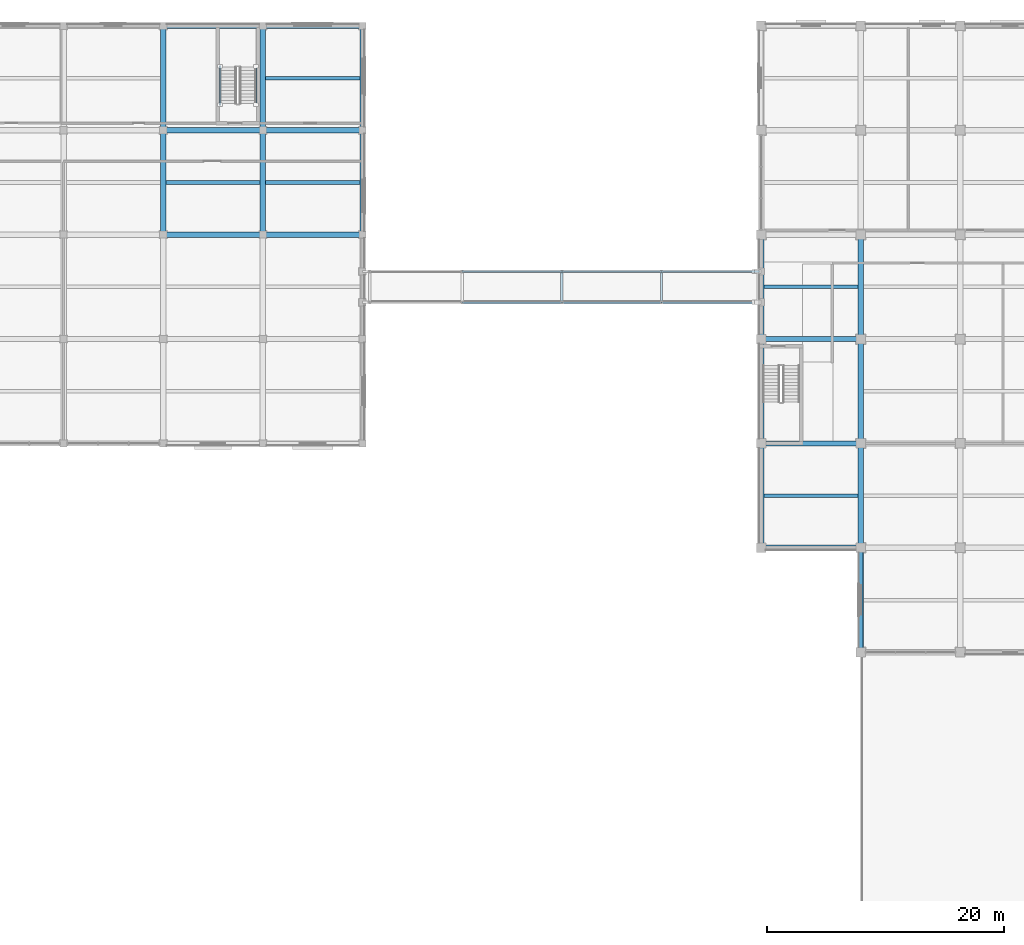
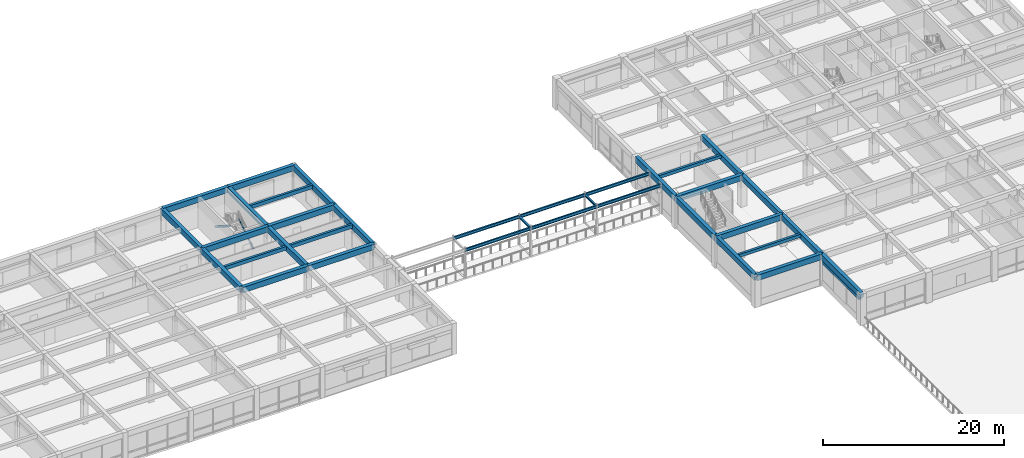
# One storey, part 21 of 57: 36 beams, 2 members.
"""IFC4 building model written with IfcOpenShell, lengths in metres."""

from ifc_helpers import new_model, si_unit, direction, frame, origin, origin_2d, place, context, subcontext, project, spatial, rectangle, hollow_rectangle, i_section, extrude, material, material_profile, profile_set, type_object, element, save


model = new_model("IFC4")

# Units and contexts
model_context = context("Model", 3, precision=1e-05, world=origin(), true_north=direction((0.0, 1.0)))
body_context = subcontext(model_context, "Body", "Model", "MODEL_VIEW")
ifc_project = project(units=[si_unit("LENGTHUNIT", "METRE"), si_unit("AREAUNIT", "SQUARE_METRE"), si_unit("VOLUMEUNIT", "CUBIC_METRE"), si_unit("PLANEANGLEUNIT", "RADIAN"), si_unit("MASSUNIT", "GRAM", prefix="KILO")], contexts=[model_context])

# Site, building, storey
site_placement = place(None, origin())
site = spatial("IfcSite", under=ifc_project, at=site_placement, CompositionType="ELEMENT")
building_placement = place(site_placement, origin())
building = spatial("IfcBuilding", under=site, at=building_placement, Name="Kemercrest Conservatory and Botanical Centre", CompositionType="ELEMENT")
storey_placement = place(building_placement, frame((0.0, 0.0, 4.800048828125)))
storey = spatial("IfcBuildingStorey", under=building, at=storey_placement, Name="L01", CompositionType="ELEMENT", Elevation=4.800048828125)

# Beams
ifc_material_1 = material(Name="Steel CSA G40.21 350W", Category="steel")
ifc_material_profile_1 = material_profile(ifc_material_1, i_section(OverallWidth=0.180908203125, OverallDepth=0.4169921875, WebThickness=0.010986328125, FlangeThickness=0.018310546875, FilletRadius=0.01611328125, at=origin_2d()), Name="W410X85")
ifc_profile_set_1 = profile_set([ifc_material_profile_1], Name="Steel CSA G40.21 350W")
beam_type_1 = type_object("IfcBeamType", Name="BM-LB410", PredefinedType="BEAM", material=ifc_profile_set_1)
for number, where, z_axis, x_axis, name in (
    (1, (100.39990234375, 99.10009765625, 3.761474609375), (1.0, 0.0, 0.0), (0.0, 1.0, 0.0), "Link bridge girder LB-01 SJ-3"),
    (2, (100.39990234375, 101.699951171875, 3.761474609375), (1.0, 0.0, 0.0), (0.0, 1.0, 0.0), "Link bridge girder LB-01 SJ-3"),
):
    element("IfcBeam", number, at=place(storey_placement, frame(where, z_axis=z_axis, x_axis=x_axis)), inside=storey, type_object=beam_type_1, Name=name, PredefinedType="BEAM", context=body_context, shape_type="SweptSolid", body=[
        extrude(i_section(OverallWidth=0.180908203125, OverallDepth=0.4169921875, WebThickness=0.010986328125, FlangeThickness=0.018310546875, FilletRadius=0.01611328125, at=origin_2d()), origin(), (0.0, 0.0, 1.0), 8.400146484375),
    ])
for number, where, z_axis, x_axis, name in (
    (3, (108.800048828125, 99.10009765625, 3.761474609375), (1.0, 0.0, 0.0), (0.0, 1.0, 0.0), "Link bridge girder LB-01 SJ-3"),
    (4, (108.800048828125, 101.699951171875, 3.761474609375), (1.0, 0.0, 0.0), (0.0, 1.0, 0.0), "Link bridge girder LB-01 SJ-3"),
):
    element("IfcBeam", number, at=place(storey_placement, frame(where, z_axis=z_axis, x_axis=x_axis)), inside=storey, type_object=beam_type_1, Name=name, PredefinedType="BEAM", context=body_context, shape_type="SweptSolid", body=[
        extrude(i_section(OverallWidth=0.180908203125, OverallDepth=0.4169921875, WebThickness=0.010986328125, FlangeThickness=0.018310546875, FilletRadius=0.01611328125, at=origin_2d()), origin(), (0.0, 0.0, 1.0), 8.39990234375),
    ])
for number, where, z_axis, x_axis, name in (
    (5, (117.199951171875, 99.10009765625, 3.761474609375), (1.0, 0.0, 0.0), (0.0, 1.0, 0.0), "Link bridge girder LB-01 SJ-3"),
    (6, (117.199951171875, 101.699951171875, 3.761474609375), (1.0, 0.0, 0.0), (0.0, 1.0, 0.0), "Link bridge girder LB-01 SJ-3"),
):
    element("IfcBeam", number, at=place(storey_placement, frame(where, z_axis=z_axis, x_axis=x_axis)), inside=storey, type_object=beam_type_1, Name=name, PredefinedType="BEAM", context=body_context, shape_type="SweptSolid", body=[
        extrude(i_section(OverallWidth=0.180908203125, OverallDepth=0.4169921875, WebThickness=0.010986328125, FlangeThickness=0.018310546875, FilletRadius=0.01611328125, at=origin_2d()), origin(), (0.0, 0.0, 1.0), 8.25),
    ])
ifc_material_2 = material(Name="Concrete C40/50", Category="concrete")
ifc_material_profile_2 = material_profile(ifc_material_2, rectangle(XDim=0.449951171875, YDim=0.75, at=origin_2d()), Name="RC 450x750")
ifc_profile_set_2 = profile_set([ifc_material_profile_2], Name="Concrete C40/50")
beam_type_2 = type_object("IfcBeamType", Name="BM-RC75", PredefinedType="BEAM", material=ifc_profile_set_2)
beam_1_placement = place(storey_placement, frame((75.199951171875, 104.800048828125, 3.824951171875), z_axis=(1.0, 0.0, 0.0), x_axis=(0.0, 1.0, 0.0)))
element("IfcBeam", 7, at=beam_1_placement, inside=storey, type_object=beam_type_2, Name="V3-L02 beam BM-RC75 M/09-10", PredefinedType="BEAM", context=body_context, shape_type="SweptSolid", body=[
    extrude(rectangle(XDim=0.449951171875, YDim=0.75, at=origin_2d()), origin(), (0.0, 0.0, 1.0), 8.400146484375),
])
beam_2_placement = place(storey_placement, frame((83.60009765625, 104.800048828125, 3.824951171875), z_axis=(1.0, 0.0, 0.0), x_axis=(0.0, 1.0, 0.0)))
element("IfcBeam", 8, at=beam_2_placement, inside=storey, type_object=beam_type_2, Name="V3-L02 beam BM-RC75 M/10-11", PredefinedType="BEAM", context=body_context, shape_type="SweptSolid", body=[
    extrude(rectangle(XDim=0.449951171875, YDim=0.75, at=origin_2d()), origin(), (0.0, 0.0, 1.0), 8.39990234375),
])
beam_3_placement = place(storey_placement, frame((75.199951171875, 113.60009765625, 3.824951171875), z_axis=(1.0, 0.0, 0.0), x_axis=(0.0, 1.0, 0.0)))
element("IfcBeam", 9, at=beam_3_placement, inside=storey, type_object=beam_type_2, Name="V3-L02 beam BM-RC75 N/09-10", PredefinedType="BEAM", context=body_context, shape_type="SweptSolid", body=[
    extrude(rectangle(XDim=0.449951171875, YDim=0.75, at=origin_2d()), origin(), (0.0, 0.0, 1.0), 8.400146484375),
])
beam_4_placement = place(storey_placement, frame((83.60009765625, 113.60009765625, 3.824951171875), z_axis=(1.0, 0.0, 0.0), x_axis=(0.0, 1.0, 0.0)))
element("IfcBeam", 10, at=beam_4_placement, inside=storey, type_object=beam_type_2, Name="V3-L02 beam BM-RC75 N/10-11", PredefinedType="BEAM", context=body_context, shape_type="SweptSolid", body=[
    extrude(rectangle(XDim=0.449951171875, YDim=0.75, at=origin_2d()), origin(), (0.0, 0.0, 1.0), 8.39990234375),
])
beam_5_placement = place(storey_placement, frame((75.199951171875, 104.800048828125, 3.824951171875), z_axis=(0.0, 1.0, 0.0), x_axis=(-1.0, 0.0, 0.0)))
element("IfcBeam", 11, at=beam_5_placement, inside=storey, type_object=beam_type_2, Name="V3-L02 beam BM-RC75 09/M-N", PredefinedType="BEAM", context=body_context, shape_type="SweptSolid", body=[
    extrude(rectangle(XDim=0.449951171875, YDim=0.75, at=origin_2d()), origin(), (0.0, 0.0, 1.0), 8.800048828125),
])
beam_6_placement = place(storey_placement, frame((75.199951171875, 113.60009765625, 3.824951171875), z_axis=(0.0, 1.0, 0.0), x_axis=(-1.0, 0.0, 0.0)))
element("IfcBeam", 12, at=beam_6_placement, inside=storey, type_object=beam_type_2, Name="V3-L02 beam BM-RC75 09/N-P", PredefinedType="BEAM", context=body_context, shape_type="SweptSolid", body=[
    extrude(rectangle(XDim=0.449951171875, YDim=0.75, at=origin_2d()), origin(), (0.0, 0.0, 1.0), 8.7998046875),
])
beam_7_placement = place(storey_placement, frame((83.60009765625, 104.800048828125, 3.824951171875), z_axis=(0.0, 1.0, 0.0), x_axis=(-1.0, 0.0, 0.0)))
element("IfcBeam", 13, at=beam_7_placement, inside=storey, type_object=beam_type_2, Name="V3-L02 beam BM-RC75 10/M-N", PredefinedType="BEAM", context=body_context, shape_type="SweptSolid", body=[
    extrude(rectangle(XDim=0.449951171875, YDim=0.75, at=origin_2d()), origin(), (0.0, 0.0, 1.0), 8.800048828125),
])
beam_8_placement = place(storey_placement, frame((83.60009765625, 113.60009765625, 3.824951171875), z_axis=(0.0, 1.0, 0.0), x_axis=(-1.0, 0.0, 0.0)))
element("IfcBeam", 14, at=beam_8_placement, inside=storey, type_object=beam_type_2, Name="V3-L02 beam BM-RC75 10/N-P", PredefinedType="BEAM", context=body_context, shape_type="SweptSolid", body=[
    extrude(rectangle(XDim=0.449951171875, YDim=0.75, at=origin_2d()), origin(), (0.0, 0.0, 1.0), 8.7998046875),
])
for number, where, z_axis, x_axis, name in (
    (15, (125.60009765625, 78.39990234375, 3.824951171875), (1.0, 0.0, 0.0), (0.0, 1.0, 0.0), "V4-L02 beam BM-RC75 J/15-16"),
    (16, (125.60009765625, 87.199951171875, 3.824951171875), (1.0, 0.0, 0.0), (0.0, 1.0, 0.0), "V4-L02 beam BM-RC75 K/15-16"),
    (17, (125.60009765625, 96.0, 3.824951171875), (1.0, 0.0, 0.0), (0.0, 1.0, 0.0), "V4-L02 beam BM-RC75 L/15-16"),
):
    element("IfcBeam", number, at=place(storey_placement, frame(where, z_axis=z_axis, x_axis=x_axis)), inside=storey, type_object=beam_type_2, Name=name, PredefinedType="BEAM", context=body_context, shape_type="SweptSolid", body=[
        extrude(rectangle(XDim=0.449951171875, YDim=0.75, at=origin_2d()), origin(), (0.0, 0.0, 1.0), 8.39990234375),
    ])
beam_9_placement = place(storey_placement, frame((134.0, 69.60009765625, 3.824951171875), z_axis=(0.0, 1.0, 0.0), x_axis=(-1.0, 0.0, 0.0)))
element("IfcBeam", 18, at=beam_9_placement, inside=storey, type_object=beam_type_2, Name="V4-L02 beam BM-RC75 16/H-J", PredefinedType="BEAM", context=body_context, shape_type="SweptSolid", body=[
    extrude(rectangle(XDim=0.449951171875, YDim=0.75, at=origin_2d()), origin(), (0.0, 0.0, 1.0), 8.7998046875),
])
for number, where, z_axis, x_axis, name in (
    (19, (134.0, 78.39990234375, 3.824951171875), (0.0, 1.0, 0.0), (-1.0, 0.0, 0.0), "V4-L02 beam BM-RC75 16/J-K"),
    (20, (134.0, 87.199951171875, 3.824951171875), (0.0, 1.0, 0.0), (-1.0, 0.0, 0.0), "V4-L02 beam BM-RC75 16/K-L"),
    (21, (134.0, 96.0, 3.824951171875), (0.0, 1.0, 0.0), (-1.0, 0.0, 0.0), "V4-L02 beam BM-RC75 16/L-M"),
):
    element("IfcBeam", number, at=place(storey_placement, frame(where, z_axis=z_axis, x_axis=x_axis)), inside=storey, type_object=beam_type_2, Name=name, PredefinedType="BEAM", context=body_context, shape_type="SweptSolid", body=[
        extrude(rectangle(XDim=0.449951171875, YDim=0.75, at=origin_2d()), origin(), (0.0, 0.0, 1.0), 8.800048828125),
    ])
ifc_material_profile_3 = material_profile(ifc_material_2, rectangle(XDim=0.300048828125, YDim=0.419921875, at=origin_2d()), Name="RC 300x420")
ifc_profile_set_3 = profile_set([ifc_material_profile_3], Name="Concrete C40/50")
beam_type_3 = type_object("IfcBeamType", Name="JS-RC42", PredefinedType="JOIST", material=ifc_profile_set_3)
for number, where, z_axis, x_axis, name in (
    (22, (125.824951171875, 82.800048828125, 3.989990234375), (1.0, 0.0, 0.0), (0.0, 1.0, 0.0), "V4-L02 secondary joist JS-RC42"),
    (23, (125.824951171875, 100.39990234375, 3.989990234375), (1.0, 0.0, 0.0), (0.0, 1.0, 0.0), "V4-L02 secondary joist JS-RC42"),
):
    element("IfcBeam", number, at=place(storey_placement, frame(where, z_axis=z_axis, x_axis=x_axis)), inside=storey, type_object=beam_type_3, Name=name, PredefinedType="JOIST", context=body_context, shape_type="SweptSolid", body=[
        extrude(rectangle(XDim=0.300048828125, YDim=0.419921875, at=origin_2d()), origin(), (0.0, 0.0, 1.0), 7.949951171875),
    ])
ifc_material_profile_4 = material_profile(ifc_material_2, rectangle(XDim=0.300048828125, YDim=0.5, at=origin_2d()), Name="RC 300x500")
ifc_profile_set_4 = profile_set([ifc_material_profile_4], Name="Concrete C40/50")
beam_type_4 = type_object("IfcBeamType", Name="JS-RC50", PredefinedType="JOIST", material=ifc_profile_set_4)
for number, where, z_axis, x_axis, name in (
    (24, (75.425048828125, 109.199951171875, 3.949951171875), (1.0, 0.0, 0.0), (0.0, 1.0, 0.0), "V3-L02 secondary joist JS-RC50"),
    (25, (83.824951171875, 109.199951171875, 3.949951171875), (1.0, 0.0, 0.0), (0.0, 1.0, 0.0), "V3-L02 secondary joist JS-RC50"),
    (26, (83.824951171875, 118.0, 3.949951171875), (1.0, 0.0, 0.0), (0.0, 1.0, 0.0), "V3-L02 secondary joist JS-RC50"),
):
    element("IfcBeam", number, at=place(storey_placement, frame(where, z_axis=z_axis, x_axis=x_axis)), inside=storey, type_object=beam_type_4, Name=name, PredefinedType="JOIST", context=body_context, shape_type="SweptSolid", body=[
        extrude(rectangle(XDim=0.300048828125, YDim=0.5, at=origin_2d()), origin(), (0.0, 0.0, 1.0), 7.949951171875),
    ])
ifc_material_profile_5 = material_profile(ifc_material_1, i_section(OverallWidth=0.202880859375, OverallDepth=0.251953125, WebThickness=0.008056640625, FlangeThickness=0.013427734375, FilletRadius=0.010986328125, at=origin_2d()), Name="W250X58")
ifc_profile_set_5 = profile_set([ifc_material_profile_5], Name="Steel CSA G40.21 350W")
beam_type_5 = type_object("IfcBeamType", Name="JS-W250", PredefinedType="JOIST", material=ifc_profile_set_5)
for number, where, z_axis, x_axis, name in (
    (27, (108.800048828125, 99.1904296875, 3.761474609375), (0.0, 1.0, 0.0), (-1.0, 0.0, 0.0), "Link bridge cross beam SJ-3"),
    (28, (117.199951171875, 99.1904296875, 3.761474609375), (0.0, 1.0, 0.0), (-1.0, 0.0, 0.0), "Link bridge cross beam SJ-3"),
):
    element("IfcBeam", number, at=place(storey_placement, frame(where, z_axis=z_axis, x_axis=x_axis)), inside=storey, type_object=beam_type_5, Name=name, PredefinedType="JOIST", context=body_context, shape_type="SweptSolid", body=[
        extrude(i_section(OverallWidth=0.202880859375, OverallDepth=0.251953125, WebThickness=0.008056640625, FlangeThickness=0.013427734375, FilletRadius=0.010986328125, at=origin_2d()), origin(), (0.0, 0.0, 1.0), 2.419189453125),
    ])
ifc_material_3 = material(Name="Precast concrete C40/50", Category="concrete")
ifc_material_profile_6 = material_profile(ifc_material_3, rectangle(XDim=0.35009765625, YDim=0.449951171875, at=origin_2d()), Name="RC 350x450")
ifc_profile_set_6 = profile_set([ifc_material_profile_6], Name="Precast concrete C40/50")
beam_type_6 = type_object("IfcBeamType", Name="LN-RC46", PredefinedType="LINTEL", material=ifc_profile_set_6)
beam_10_placement = place(storey_placement, frame((134.0, 78.050048828125, 3.204833984375), z_axis=(0.0, -1.0, 0.0), x_axis=(1.0, 0.0, 0.0)))
element("IfcBeam", 29, at=beam_10_placement, inside=storey, type_object=beam_type_6, Name="Precast arched window lintel (WIN:L01:EXT-192)", PredefinedType="LINTEL", context=body_context, shape_type="SweptSolid", body=[
    extrude(rectangle(XDim=0.35009765625, YDim=0.449951171875, at=origin_2d()), origin(), (0.0, 0.0, 1.0), 8.10009765625),
])
ifc_material_profile_7 = material_profile(ifc_material_2, rectangle(XDim=0.449951171875, YDim=0.75, at=origin_2d()), Name="RC 450x750")
ifc_profile_set_7 = profile_set([ifc_material_profile_7], Name="Concrete C40/50")
beam_type_7 = type_object("IfcBeamType", Name="SP-RC75", PredefinedType="SPANDREL", material=ifc_profile_set_7)
beam_11_placement = place(storey_placement, frame((75.199951171875, 122.39990234375, 3.824951171875), z_axis=(1.0, 0.0, 0.0), x_axis=(0.0, 1.0, 0.0)))
element("IfcBeam", 30, at=beam_11_placement, inside=storey, type_object=beam_type_7, Name="V3-L02 beam SP-RC75 P/09-10", PredefinedType="SPANDREL", context=body_context, shape_type="SweptSolid", body=[
    extrude(rectangle(XDim=0.449951171875, YDim=0.75, at=origin_2d()), origin(), (0.0, 0.0, 1.0), 8.400146484375),
])
beam_12_placement = place(storey_placement, frame((83.60009765625, 122.39990234375, 3.824951171875), z_axis=(1.0, 0.0, 0.0), x_axis=(0.0, 1.0, 0.0)))
element("IfcBeam", 31, at=beam_12_placement, inside=storey, type_object=beam_type_7, Name="V3-L02 beam SP-RC75 P/10-11", PredefinedType="SPANDREL", context=body_context, shape_type="SweptSolid", body=[
    extrude(rectangle(XDim=0.449951171875, YDim=0.75, at=origin_2d()), origin(), (0.0, 0.0, 1.0), 8.39990234375),
])
beam_13_placement = place(storey_placement, frame((92.0, 104.800048828125, 3.824951171875), z_axis=(0.0, 1.0, 0.0), x_axis=(-1.0, 0.0, 0.0)))
element("IfcBeam", 32, at=beam_13_placement, inside=storey, type_object=beam_type_7, Name="V3-L02 beam SP-RC75 11/M-N", PredefinedType="SPANDREL", context=body_context, shape_type="SweptSolid", body=[
    extrude(rectangle(XDim=0.449951171875, YDim=0.75, at=origin_2d()), origin(), (0.0, 0.0, 1.0), 8.800048828125),
])
beam_14_placement = place(storey_placement, frame((92.0, 113.60009765625, 3.824951171875), z_axis=(0.0, 1.0, 0.0), x_axis=(-1.0, 0.0, 0.0)))
element("IfcBeam", 33, at=beam_14_placement, inside=storey, type_object=beam_type_7, Name="V3-L02 beam SP-RC75 11/N-P", PredefinedType="SPANDREL", context=body_context, shape_type="SweptSolid", body=[
    extrude(rectangle(XDim=0.449951171875, YDim=0.75, at=origin_2d()), origin(), (0.0, 0.0, 1.0), 8.7998046875),
])
for number, where, z_axis, x_axis, name in (
    (34, (125.60009765625, 78.39990234375, 3.824951171875), (0.0, 1.0, 0.0), (-1.0, 0.0, 0.0), "V4-L02 beam SP-RC75 15/J-K"),
    (35, (125.60009765625, 87.199951171875, 3.824951171875), (0.0, 1.0, 0.0), (-1.0, 0.0, 0.0), "V4-L02 beam SP-RC75 15/K-L"),
    (36, (125.60009765625, 96.0, 3.824951171875), (0.0, 1.0, 0.0), (-1.0, 0.0, 0.0), "V4-L02 beam SP-RC75 15/L-M"),
):
    element("IfcBeam", number, at=place(storey_placement, frame(where, z_axis=z_axis, x_axis=x_axis)), inside=storey, type_object=beam_type_7, Name=name, PredefinedType="SPANDREL", context=body_context, shape_type="SweptSolid", body=[
        extrude(rectangle(XDim=0.449951171875, YDim=0.75, at=origin_2d()), origin(), (0.0, 0.0, 1.0), 8.800048828125),
    ])

# Members
ifc_material_profile_8 = material_profile(ifc_material_1, hollow_rectangle(XDim=0.15234375, YDim=0.25390625, WallThickness=0.009521484375, InnerFilletRadius=0.009521484375, OuterFilletRadius=0.01904296875, at=origin_2d()), Name="HSS 254x152x9.5")
ifc_profile_set_8 = profile_set([ifc_material_profile_8], Name="Steel CSA G40.21 350W")
member_type = type_object("IfcMemberType", Name="SR-STR254", PredefinedType="STRINGER", material=ifc_profile_set_8)
member_1_placement = place(storey_placement, frame((83.010009765625, 115.760009765625, -0.10009765625), z_axis=(0.0, 0.84150589802, 0.540247927898), x_axis=(-1.0, 0.0, 0.0)))
element("IfcMember", 37, at=member_1_placement, inside=storey, type_object=member_type, Name="Stair ST-V3B steel stringer #33", PredefinedType="STRINGER", context=body_context, shape_type="SweptSolid", body=[
    extrude(hollow_rectangle(XDim=0.15234375, YDim=0.25390625, WallThickness=0.009521484375, InnerFilletRadius=0.009521484375, OuterFilletRadius=0.01904296875, at=origin_2d()), origin(), (0.0, 0.0, 1.0), 3.850341796875),
])
member_2_placement = place(storey_placement, frame((79.989990234375, 115.760009765625, 4.079833984375), z_axis=(0.0, 0.841534725098, -0.540203023367), x_axis=(-1.0, 0.0, 0.0)))
element("IfcMember", 38, at=member_2_placement, inside=storey, type_object=member_type, Name="Stair ST-V3B steel stringer #34", PredefinedType="STRINGER", context=body_context, shape_type="SweptSolid", body=[
    extrude(hollow_rectangle(XDim=0.15234375, YDim=0.25390625, WallThickness=0.009521484375, InnerFilletRadius=0.009521484375, OuterFilletRadius=0.01904296875, at=origin_2d()), origin(), (0.0, 0.0, 1.0), 3.85009765625),
])

save(model, "model.ifc")
